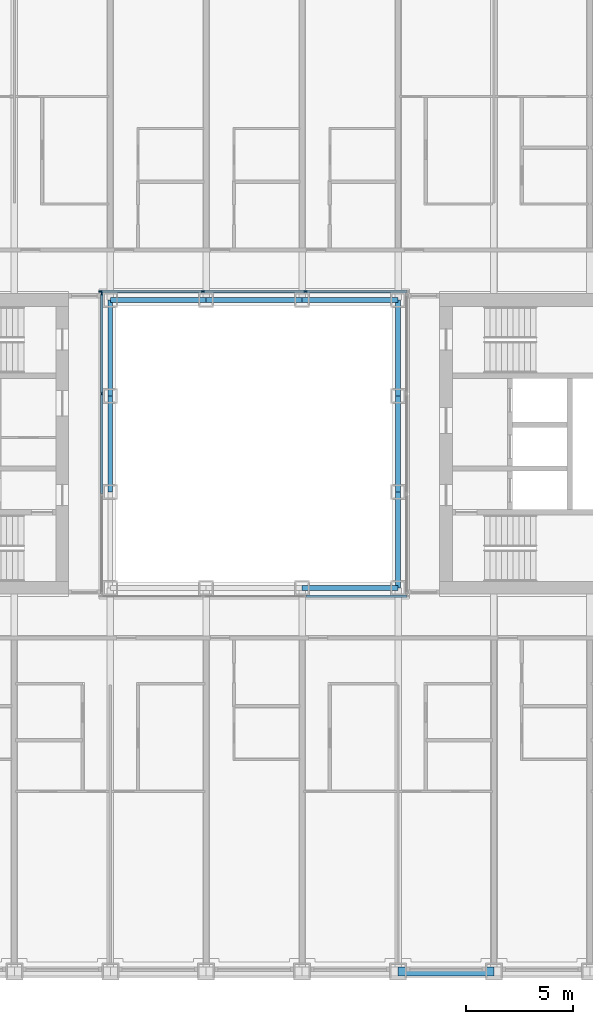
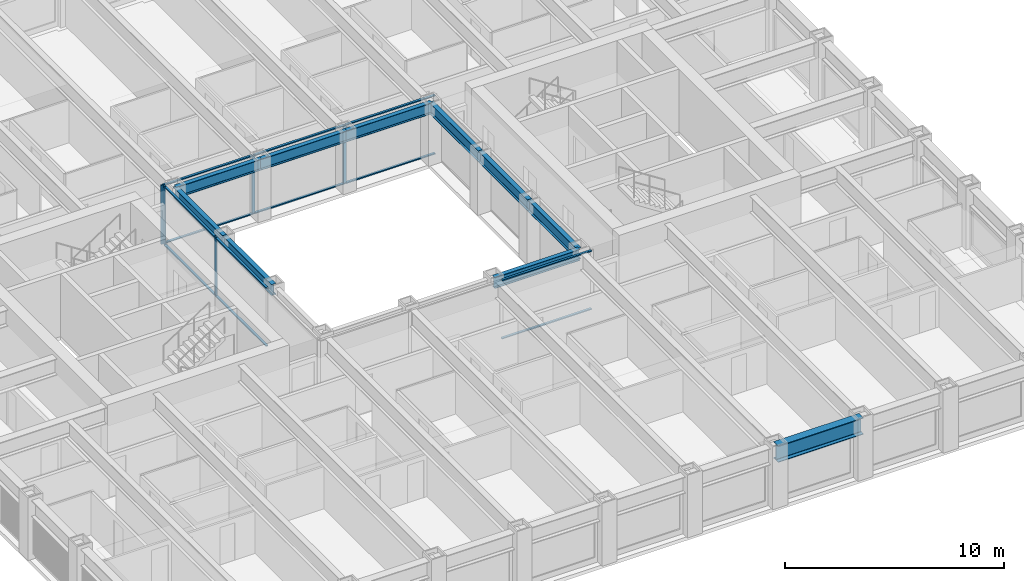
# One storey, part 4 of 21: 17 members, 10 beams, 3 elements without a shape of their own.
"""IFC4 building model written with IfcOpenShell, lengths in metres."""

from ifc_helpers import new_model, si_unit, direction, frame, origin, origin_2d, place, context, subcontext, project, spatial, rectangle, i_section, extrude, material, material_profile, profile_set, type_object, element, aggregate, save


model = new_model("IFC4")

# Units and contexts
model_context = context("Model", 3, precision=1e-05, world=origin(), true_north=direction((0.0, 1.0)))
body_context = subcontext(model_context, "Body", "Model", "MODEL_VIEW")
ifc_project = project(units=[si_unit("LENGTHUNIT", "METRE"), si_unit("AREAUNIT", "SQUARE_METRE"), si_unit("VOLUMEUNIT", "CUBIC_METRE"), si_unit("PLANEANGLEUNIT", "RADIAN"), si_unit("MASSUNIT", "GRAM", prefix="KILO")], contexts=[model_context])

# Site, building, storey
site_placement = place(None, origin())
site = spatial("IfcSite", under=ifc_project, at=site_placement, CompositionType="ELEMENT")
building_placement = place(site_placement, origin())
building = spatial("IfcBuilding", under=site, at=building_placement, Name="Msasa Ring Tower", CompositionType="ELEMENT")
storey_placement = place(building_placement, frame((0.0, 0.0, 37.0)))
storey = spatial("IfcBuildingStorey", under=building, at=storey_placement, Name="L08", CompositionType="ELEMENT", Elevation=37.0)

# Curtain wall, members
ifc_material_1 = material(Name="Aluminium curtain wall with clear glass", Category="aluminium")
curtain_wall_type = type_object("IfcCurtainWallType", Name="CW-W LIGHT WELL CURTAIN WALL", PredefinedType="NOTDEFINED", material=ifc_material_1)
curtain_wall_1_placement = place(storey_placement, origin())
curtain_wall_1 = element("IfcCurtainWall", 1, at=curtain_wall_1_placement, inside=storey, type_object=curtain_wall_type, Name="Light well curtain wall N L08", PredefinedType="NOTDEFINED")
ifc_material_2 = material(Name="Aluminium mullion", Category="aluminium")
ifc_material_profile_1 = material_profile(ifc_material_2, rectangle(XDim=0.06005859375, YDim=0.159912109375, at=origin_2d()), Name="AL 60x160")
ifc_profile_set_1 = profile_set([ifc_material_profile_1], Name="Aluminium mullion")
member_type_1 = type_object("IfcMemberType", Name="CW-W MULLION 60x160", PredefinedType="MULLION", material=ifc_profile_set_1)
member_1_placement = place(storey_placement, frame((-7.199951171875, 7.14990234375, 0.0), z_axis=(0.0, 0.0, 1.0), x_axis=(0.0, 1.0, 0.0)))
member_1 = element("IfcMember", 2, at=member_1_placement, type_object=member_type_1, Name="CW-W mullion 1", PredefinedType="MULLION", context=body_context, shape_type="SweptSolid", body=[
    extrude(rectangle(XDim=0.06005859375, YDim=0.159912109375, at=origin_2d()), origin(), (0.0, 0.0, 1.0), 3.300048828125),
])
member_2_placement = place(storey_placement, frame((-2.409912109375, 7.14990234375, 0.0), z_axis=(0.0, 0.0, 1.0), x_axis=(0.0, 1.0, 0.0)))
member_2 = element("IfcMember", 3, at=member_2_placement, type_object=member_type_1, Name="CW-W mullion 2", PredefinedType="MULLION", context=body_context, shape_type="SweptSolid", body=[
    extrude(rectangle(XDim=0.06005859375, YDim=0.159912109375, at=origin_2d()), origin(), (0.0, 0.0, 1.0), 3.300048828125),
])
member_3_placement = place(storey_placement, frame((2.409912109375, 7.14990234375, 0.0), z_axis=(0.0, 0.0, 1.0), x_axis=(0.0, 1.0, 0.0)))
member_3 = element("IfcMember", 4, at=member_3_placement, type_object=member_type_1, Name="CW-W mullion 3", PredefinedType="MULLION", context=body_context, shape_type="SweptSolid", body=[
    extrude(rectangle(XDim=0.06005859375, YDim=0.159912109375, at=origin_2d()), origin(), (0.0, 0.0, 1.0), 3.300048828125),
])

curtain_wall_2_placement = place(storey_placement, origin())
curtain_wall_2 = element("IfcCurtainWall", 5, at=curtain_wall_2_placement, inside=storey, type_object=curtain_wall_type, Name="Light well curtain wall W L08", PredefinedType="NOTDEFINED")
member_4_placement = place(storey_placement, frame((-7.14990234375, 2.356689453125, 0.0), z_axis=(0.0, 0.0, 1.0), x_axis=(-1.0, 0.0, 0.0)))
member_4 = element("IfcMember", 6, at=member_4_placement, type_object=member_type_1, Name="CW-W mullion 3", PredefinedType="MULLION", context=body_context, shape_type="SweptSolid", body=[
    extrude(rectangle(XDim=0.06005859375, YDim=0.159912109375, at=origin_2d()), origin(), (0.0, 0.0, 1.0), 3.300048828125),
])
member_5_placement = place(storey_placement, frame((-7.14990234375, 7.0400390625, 0.0), z_axis=(0.0, 0.0, 1.0), x_axis=(-1.0, 0.0, 0.0)))
member_5 = element("IfcMember", 7, at=member_5_placement, type_object=member_type_1, Name="CW-W mullion 4", PredefinedType="MULLION", context=body_context, shape_type="SweptSolid", body=[
    extrude(rectangle(XDim=0.06005859375, YDim=0.159912109375, at=origin_2d()), origin(), (0.0, 0.0, 1.0), 3.300048828125),
])

# Member
ifc_material_3 = material(Name="Aluminium transom", Category="aluminium")
ifc_material_profile_2 = material_profile(ifc_material_3, rectangle(XDim=0.1201171875, YDim=0.06005859375, at=origin_2d()), Name="AL 60x120")
ifc_profile_set_2 = profile_set([ifc_material_profile_2], Name="Aluminium transom")
member_type_2 = type_object("IfcMemberType", Name="CW-W TRANSOM 60x120", PredefinedType="USERDEFINED", material=ifc_profile_set_2)
member_6_placement = place(storey_placement, frame((-7.169921875, 7.14990234375, 0.030029296875), z_axis=(1.0, 0.0, 0.0), x_axis=(0.0, 1.0, 0.0)))
member_6 = element("IfcMember", 8, at=member_6_placement, type_object=member_type_2, Name="CW-W transom 1.1", ObjectType="TRANSOM", PredefinedType="USERDEFINED", context=body_context, shape_type="SweptSolid", body=[
    extrude(rectangle(XDim=0.1201171875, YDim=0.06005859375, at=origin_2d()), origin(), (0.0, 0.0, 1.0), 4.72998046875),
])

member_7_placement = place(storey_placement, frame((-7.169921875, 7.14990234375, 3.27001953125), z_axis=(1.0, 0.0, 0.0), x_axis=(0.0, 1.0, 0.0)))
member_7 = element("IfcMember", 9, at=member_7_placement, type_object=member_type_2, Name="CW-W transom 1.2", ObjectType="TRANSOM", PredefinedType="USERDEFINED", context=body_context, shape_type="SweptSolid", body=[
    extrude(rectangle(XDim=0.1201171875, YDim=0.06005859375, at=origin_2d()), origin(), (0.0, 0.0, 1.0), 4.72998046875),
])

member_8_placement = place(storey_placement, frame((-2.3798828125, 7.14990234375, 0.030029296875), z_axis=(1.0, 0.0, 0.0), x_axis=(0.0, 1.0, 0.0)))
member_8 = element("IfcMember", 10, at=member_8_placement, type_object=member_type_2, Name="CW-W transom 2.1", ObjectType="TRANSOM", PredefinedType="USERDEFINED", context=body_context, shape_type="SweptSolid", body=[
    extrude(rectangle(XDim=0.1201171875, YDim=0.06005859375, at=origin_2d()), origin(), (0.0, 0.0, 1.0), 4.759765625),
])

member_9_placement = place(storey_placement, frame((-2.3798828125, 7.14990234375, 3.27001953125), z_axis=(1.0, 0.0, 0.0), x_axis=(0.0, 1.0, 0.0)))
member_9 = element("IfcMember", 11, at=member_9_placement, type_object=member_type_2, Name="CW-W transom 2.2", ObjectType="TRANSOM", PredefinedType="USERDEFINED", context=body_context, shape_type="SweptSolid", body=[
    extrude(rectangle(XDim=0.1201171875, YDim=0.06005859375, at=origin_2d()), origin(), (0.0, 0.0, 1.0), 4.759765625),
])

member_10_placement = place(storey_placement, frame((2.43994140625, 7.14990234375, 0.030029296875), z_axis=(1.0, 0.0, 0.0), x_axis=(0.0, 1.0, 0.0)))
member_10 = element("IfcMember", 12, at=member_10_placement, type_object=member_type_2, Name="CW-W transom 3.1", ObjectType="TRANSOM", PredefinedType="USERDEFINED", context=body_context, shape_type="SweptSolid", body=[
    extrude(rectangle(XDim=0.1201171875, YDim=0.06005859375, at=origin_2d()), origin(), (0.0, 0.0, 1.0), 4.72998046875),
])

member_11_placement = place(storey_placement, frame((2.43994140625, 7.14990234375, 3.27001953125), z_axis=(1.0, 0.0, 0.0), x_axis=(0.0, 1.0, 0.0)))
member_11 = element("IfcMember", 13, at=member_11_placement, type_object=member_type_2, Name="CW-W transom 3.2", ObjectType="TRANSOM", PredefinedType="USERDEFINED", context=body_context, shape_type="SweptSolid", body=[
    extrude(rectangle(XDim=0.1201171875, YDim=0.06005859375, at=origin_2d()), origin(), (0.0, 0.0, 1.0), 4.72998046875),
])

aggregate(curtain_wall_1, [member_1, member_2, member_3, member_6, member_7, member_8, member_9, member_10, member_11])

# Curtain wall, members
curtain_wall_3_placement = place(storey_placement, origin())
curtain_wall_3 = element("IfcCurtainWall", 14, at=curtain_wall_3_placement, inside=storey, type_object=curtain_wall_type, Name="Light well curtain wall S L08", PredefinedType="NOTDEFINED")
member_12_placement = place(storey_placement, frame((2.43994140625, -7.14990234375, 0.030029296875), z_axis=(1.0, 0.0, 0.0), x_axis=(0.0, 1.0, 0.0)))
member_12 = element("IfcMember", 15, at=member_12_placement, type_object=member_type_2, Name="CW-W transom 3.1", ObjectType="TRANSOM", PredefinedType="USERDEFINED", context=body_context, shape_type="SweptSolid", body=[
    extrude(rectangle(XDim=0.1201171875, YDim=0.06005859375, at=origin_2d()), origin(), (0.0, 0.0, 1.0), 4.72998046875),
])
member_13_placement = place(storey_placement, frame((2.43994140625, -7.14990234375, 3.27001953125), z_axis=(1.0, 0.0, 0.0), x_axis=(0.0, 1.0, 0.0)))
member_13 = element("IfcMember", 16, at=member_13_placement, type_object=member_type_2, Name="CW-W transom 3.2", ObjectType="TRANSOM", PredefinedType="USERDEFINED", context=body_context, shape_type="SweptSolid", body=[
    extrude(rectangle(XDim=0.1201171875, YDim=0.06005859375, at=origin_2d()), origin(), (0.0, 0.0, 1.0), 4.72998046875),
])
aggregate(curtain_wall_3, [member_12, member_13])

# Member
member_14_placement = place(storey_placement, frame((-7.14990234375, -2.32666015625, 0.030029296875), z_axis=(0.0, 1.0, 0.0), x_axis=(-1.0, 0.0, 0.0)))
member_14 = element("IfcMember", 17, at=member_14_placement, type_object=member_type_2, Name="CW-W transom 2.1", ObjectType="TRANSOM", PredefinedType="USERDEFINED", context=body_context, shape_type="SweptSolid", body=[
    extrude(rectangle(XDim=0.1201171875, YDim=0.06005859375, at=origin_2d()), origin(), (0.0, 0.0, 1.0), 4.6533203125),
])

member_15_placement = place(storey_placement, frame((-7.14990234375, -2.32666015625, 3.27001953125), z_axis=(0.0, 1.0, 0.0), x_axis=(-1.0, 0.0, 0.0)))
member_15 = element("IfcMember", 18, at=member_15_placement, type_object=member_type_2, Name="CW-W transom 2.2", ObjectType="TRANSOM", PredefinedType="USERDEFINED", context=body_context, shape_type="SweptSolid", body=[
    extrude(rectangle(XDim=0.1201171875, YDim=0.06005859375, at=origin_2d()), origin(), (0.0, 0.0, 1.0), 4.6533203125),
])

member_16_placement = place(storey_placement, frame((-7.14990234375, 2.38671875, 0.030029296875), z_axis=(0.0, 1.0, 0.0), x_axis=(-1.0, 0.0, 0.0)))
member_16 = element("IfcMember", 19, at=member_16_placement, type_object=member_type_2, Name="CW-W transom 3.1", ObjectType="TRANSOM", PredefinedType="USERDEFINED", context=body_context, shape_type="SweptSolid", body=[
    extrude(rectangle(XDim=0.1201171875, YDim=0.06005859375, at=origin_2d()), origin(), (0.0, 0.0, 1.0), 4.623291015625),
])

member_17_placement = place(storey_placement, frame((-7.14990234375, 2.38671875, 3.27001953125), z_axis=(0.0, 1.0, 0.0), x_axis=(-1.0, 0.0, 0.0)))
member_17 = element("IfcMember", 20, at=member_17_placement, type_object=member_type_2, Name="CW-W transom 3.2", ObjectType="TRANSOM", PredefinedType="USERDEFINED", context=body_context, shape_type="SweptSolid", body=[
    extrude(rectangle(XDim=0.1201171875, YDim=0.06005859375, at=origin_2d()), origin(), (0.0, 0.0, 1.0), 4.623291015625),
])

aggregate(curtain_wall_2, [member_4, member_5, member_14, member_15, member_16, member_17])

# Beams
ifc_material_4 = material(Name="Steel S355", Category="steel")
ifc_material_profile_3 = material_profile(ifc_material_4, i_section(OverallWidth=0.230224609375, OverallDepth=0.6171875, WebThickness=0.01318359375, FlangeThickness=0.022216796875, FilletRadius=0.0126953125, at=origin_2d()), Name="UB 610x229x140")
ifc_profile_set_3 = profile_set([ifc_material_profile_3], Name="Steel S355")
beam_type_1 = type_object("IfcBeamType", Name="RB1 UB 610x229x140", PredefinedType="BEAM", material=ifc_profile_set_3)
for number, where, z_axis, x_axis, name in (
    (21, (2.25, -6.75, 2.991455078125), (1.0, 0.0, 0.0), (0.0, 1.0, 0.0), "Inner ring beam IR+2.25-6.75 under L09"),
    (22, (6.75, -6.75, 2.991455078125), (0.0, 1.0, 0.0), (-1.0, 0.0, 0.0), "Inner ring beam IR+6.75-6.75 under L09"),
    (23, (6.75, -2.25, 2.991455078125), (0.0, 1.0, 0.0), (-1.0, 0.0, 0.0), "Inner ring beam IR+6.75-2.25 under L09"),
    (24, (6.75, 2.25, 2.991455078125), (0.0, 1.0, 0.0), (-1.0, 0.0, 0.0), "Inner ring beam IR+6.75+2.25 under L09"),
    (25, (6.75, 6.75, 2.991455078125), (-1.0, 0.0, 0.0), (0.0, -1.0, 0.0), "Inner ring beam IR+6.75+6.75 under L09"),
    (26, (2.25, 6.75, 2.991455078125), (-1.0, 0.0, 0.0), (0.0, -1.0, 0.0), "Inner ring beam IR+2.25+6.75 under L09"),
    (27, (-2.25, 6.75, 2.991455078125), (-1.0, 0.0, 0.0), (0.0, -1.0, 0.0), "Inner ring beam IR-2.25+6.75 under L09"),
    (28, (-6.75, 6.75, 2.991455078125), (0.0, -1.0, 0.0), (1.0, 0.0, 0.0), "Inner ring beam IR-6.75+6.75 under L09"),
    (29, (-6.75, 2.25, 2.991455078125), (0.0, -1.0, 0.0), (1.0, 0.0, 0.0), "Inner ring beam IR-6.75+2.25 under L09"),
):
    element("IfcBeam", number, at=place(storey_placement, frame(where, z_axis=z_axis, x_axis=x_axis)), inside=storey, type_object=beam_type_1, Name=name, PredefinedType="BEAM", context=body_context, shape_type="SweptSolid", body=[
        extrude(i_section(OverallWidth=0.230224609375, OverallDepth=0.6171875, WebThickness=0.01318359375, FlangeThickness=0.022216796875, FilletRadius=0.0126953125, at=origin_2d()), origin(), (0.0, 0.0, 1.0), 4.5),
    ])
ifc_material_5 = material(Name="Steel S355", Category="steel")
ifc_material_profile_4 = material_profile(ifc_material_5, i_section(OverallWidth=0.42041015625, OverallDepth=0.9208984375, WebThickness=0.021484375, FlangeThickness=0.03662109375, FilletRadius=0.024169921875, at=origin_2d()), Name="UB 914x419x388")
ifc_profile_set_4 = profile_set([ifc_material_profile_4], Name="Steel S355")
beam_type_2 = type_object("IfcBeamType", Name="SB1 UB 914x419x388", PredefinedType="SPANDREL", material=ifc_profile_set_4)
beam_placement = place(storey_placement, frame((6.75, -24.75, 2.839599609375), z_axis=(1.0, 0.0, 0.0), x_axis=(0.0, 1.0, 0.0)))
element("IfcBeam", 30, at=beam_placement, inside=storey, type_object=beam_type_2, Name="Spandrel S+6.75 to S+11.25 under L09", PredefinedType="SPANDREL", context=body_context, shape_type="SweptSolid", body=[
    extrude(i_section(OverallWidth=0.42041015625, OverallDepth=0.9208984375, WebThickness=0.021484375, FlangeThickness=0.03662109375, FilletRadius=0.024169921875, at=origin_2d()), origin(), (0.0, 0.0, 1.0), 4.5),
])

save(model, "model.ifc")
